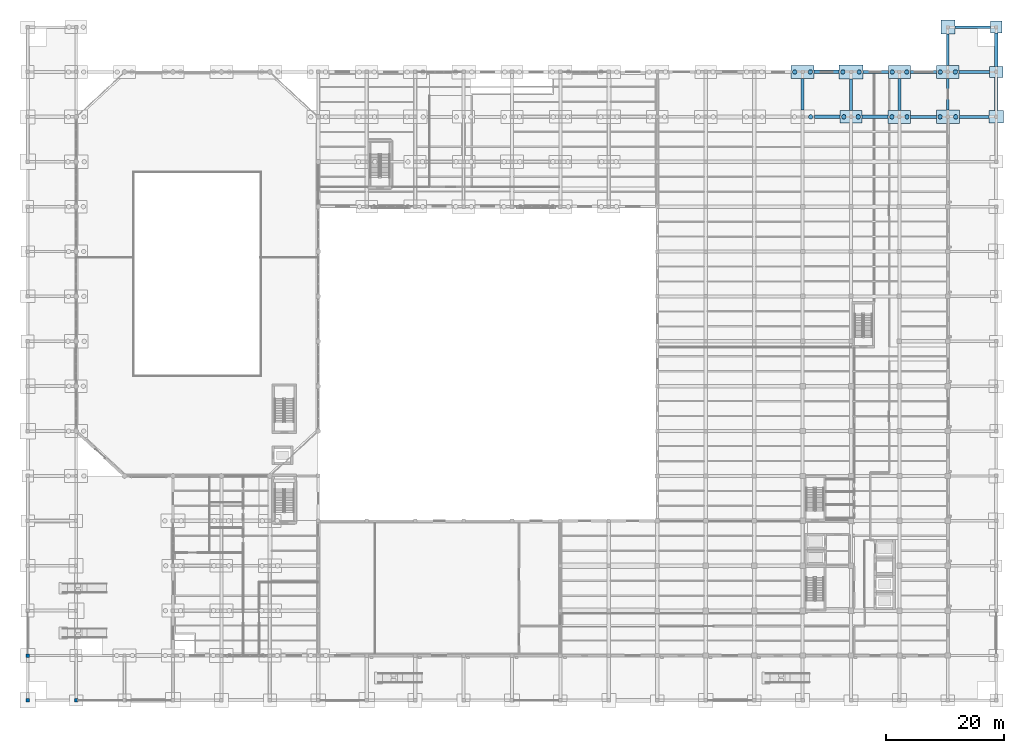
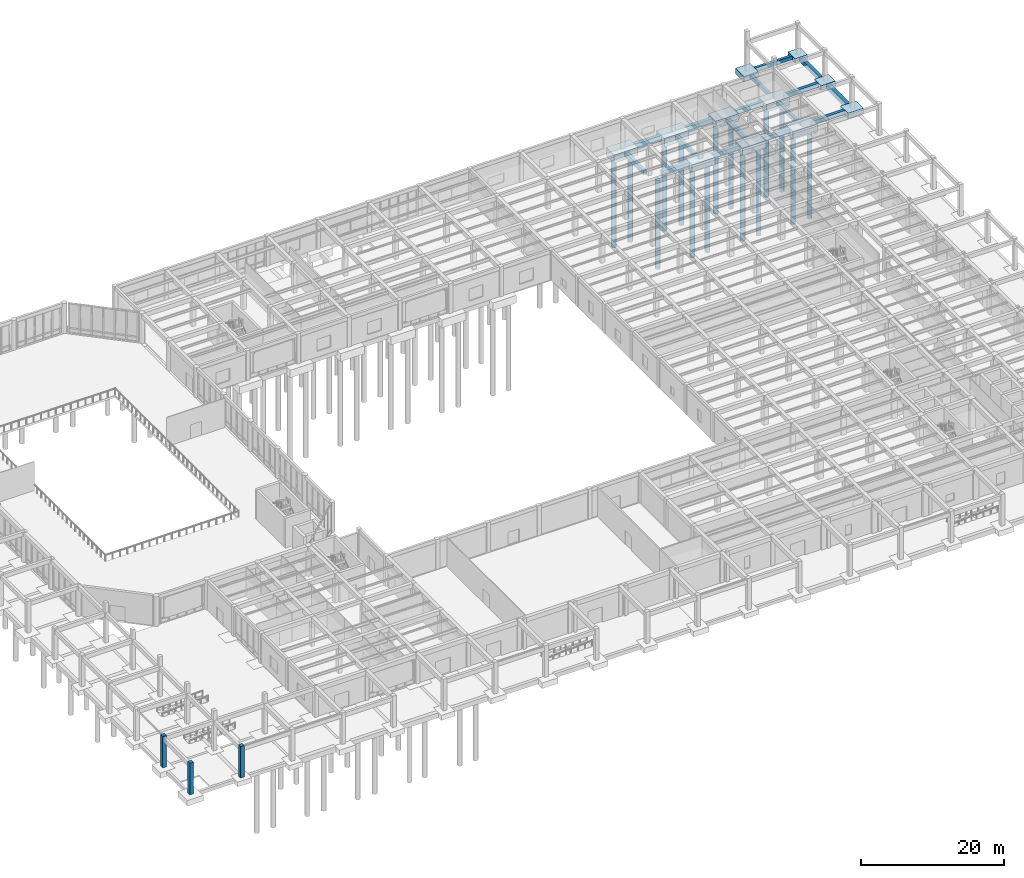
# One storey, part 6 of 64: 27 footings, 15 piles, 3 columns.
"""IFC4 building model written with IfcOpenShell, lengths in metres."""

from ifc_helpers import new_model, si_unit, direction, frame, origin, origin_2d, place, context, subcontext, project, spatial, rectangle, circle, extrude, material, material_profile, profile_set, type_object, element, save


model = new_model("IFC4")

# Units and contexts
model_context = context("Model", 3, precision=1e-05, world=origin(), true_north=direction((0.0, 1.0)))
body_context = subcontext(model_context, "Body", "Model", "MODEL_VIEW")
ifc_project = project(units=[si_unit("LENGTHUNIT", "METRE"), si_unit("AREAUNIT", "SQUARE_METRE"), si_unit("VOLUMEUNIT", "CUBIC_METRE"), si_unit("PLANEANGLEUNIT", "RADIAN"), si_unit("MASSUNIT", "GRAM", prefix="KILO")], contexts=[model_context])

# Site, building, storey
site_placement = place(None, origin())
site = spatial("IfcSite", under=ifc_project, at=site_placement, CompositionType="ELEMENT")
building_placement = place(site_placement, origin())
building = spatial("IfcBuilding", under=site, at=building_placement, Name="Qandaris Square Conservatory and Botanical Centre", CompositionType="ELEMENT")
storey_placement = place(building_placement, origin())
storey = spatial("IfcBuildingStorey", under=building, at=storey_placement, Name="L00", CompositionType="ELEMENT", Elevation=0.0)

# Piles
ifc_material_1 = material(Name="Concrete C50/60", Category="concrete")
ifc_material_profile_1 = material_profile(ifc_material_1, circle(Radius=0.375, at=origin_2d()), Name="PILE D750")
ifc_profile_set_1 = profile_set([ifc_material_profile_1], Name="Concrete C50/60")
pile_type = type_object("IfcPileType", Name="Bored Pile D750", PredefinedType="BORED", material=ifc_profile_set_1)
pile_placement = place(storey_placement, frame((140.574951171875, 107.800048828125, -1.300048828125), z_axis=(0.0, 0.0, -1.0), x_axis=(1.0, 0.0, 0.0)))
element("IfcPile", 1, at=pile_placement, inside=storey, type_object=pile_type, Name="Bored Pile P17-2", PredefinedType="BORED", context=body_context, shape_type="SweptSolid", body=[
    extrude(circle(Radius=0.375, at=origin_2d()), origin(), (0.0, 0.0, 1.0), 15.199951171875),
])
for number, where, z_axis, x_axis, name in (
    (2, (137.875, 115.39990234375, -1.25), (0.0, 0.0, -1.0), (1.0, 0.0, 0.0), "Bored Pile Q17-1"),
    (3, (140.52490234375, 115.39990234375, -1.25), (0.0, 0.0, -1.0), (1.0, 0.0, 0.0), "Bored Pile Q17-2"),
):
    element("IfcPile", number, at=place(storey_placement, frame(where, z_axis=z_axis, x_axis=x_axis)), inside=storey, type_object=pile_type, Name=name, PredefinedType="BORED", context=body_context, shape_type="SweptSolid", body=[
        extrude(circle(Radius=0.375, at=origin_2d()), origin(), (0.0, 0.0, 1.0), 15.25),
    ])
for number, where, z_axis, x_axis, name in (
    (4, (146.175048828125, 107.800048828125, -1.14990234375), (0.0, 0.0, -1.0), (1.0, 0.0, 0.0), "Bored Pile P18-1"),
    (5, (148.625, 107.800048828125, -1.14990234375), (0.0, 0.0, -1.0), (1.0, 0.0, 0.0), "Bored Pile P18-2"),
):
    element("IfcPile", number, at=place(storey_placement, frame(where, z_axis=z_axis, x_axis=x_axis)), inside=storey, type_object=pile_type, Name=name, PredefinedType="BORED", context=body_context, shape_type="SweptSolid", body=[
        extrude(circle(Radius=0.375, at=origin_2d()), origin(), (0.0, 0.0, 1.0), 15.35009765625),
    ])
for number, where, z_axis, x_axis, name in (
    (6, (146.02490234375, 115.39990234375, -1.300048828125), (0.0, 0.0, -1.0), (1.0, 0.0, 0.0), "Bored Pile Q18-1"),
    (7, (148.77490234375, 115.39990234375, -1.300048828125), (0.0, 0.0, -1.0), (1.0, 0.0, 0.0), "Bored Pile Q18-2"),
):
    element("IfcPile", number, at=place(storey_placement, frame(where, z_axis=z_axis, x_axis=x_axis)), inside=storey, type_object=pile_type, Name=name, PredefinedType="BORED", context=body_context, shape_type="SweptSolid", body=[
        extrude(circle(Radius=0.375, at=origin_2d()), origin(), (0.0, 0.0, 1.0), 15.199951171875),
    ])
for number, where, z_axis, x_axis, name in (
    (8, (154.324951171875, 107.800048828125, -1.199951171875), (0.0, 0.0, -1.0), (1.0, 0.0, 0.0), "Bored Pile P19-1"),
    (9, (156.875, 107.800048828125, -1.199951171875), (0.0, 0.0, -1.0), (1.0, 0.0, 0.0), "Bored Pile P19-2"),
):
    element("IfcPile", number, at=place(storey_placement, frame(where, z_axis=z_axis, x_axis=x_axis)), inside=storey, type_object=pile_type, Name=name, PredefinedType="BORED", context=body_context, shape_type="SweptSolid", body=[
        extrude(circle(Radius=0.375, at=origin_2d()), origin(), (0.0, 0.0, 1.0), 15.300048828125),
    ])
for number, where, z_axis, x_axis, name in (
    (10, (154.375, 115.39990234375, -1.14990234375), (0.0, 0.0, -1.0), (1.0, 0.0, 0.0), "Bored Pile Q19-1"),
    (11, (156.824951171875, 115.39990234375, -1.14990234375), (0.0, 0.0, -1.0), (1.0, 0.0, 0.0), "Bored Pile Q19-2"),
):
    element("IfcPile", number, at=place(storey_placement, frame(where, z_axis=z_axis, x_axis=x_axis)), inside=storey, type_object=pile_type, Name=name, PredefinedType="BORED", context=body_context, shape_type="SweptSolid", body=[
        extrude(circle(Radius=0.375, at=origin_2d()), origin(), (0.0, 0.0, 1.0), 15.35009765625),
    ])
for number, where, z_axis, x_axis, name in (
    (12, (162.47509765625, 107.800048828125, -1.25), (0.0, 0.0, -1.0), (1.0, 0.0, 0.0), "Bored Pile P20-1"),
    (13, (165.125, 107.800048828125, -1.25), (0.0, 0.0, -1.0), (1.0, 0.0, 0.0), "Bored Pile P20-2"),
):
    element("IfcPile", number, at=place(storey_placement, frame(where, z_axis=z_axis, x_axis=x_axis)), inside=storey, type_object=pile_type, Name=name, PredefinedType="BORED", context=body_context, shape_type="SweptSolid", body=[
        extrude(circle(Radius=0.375, at=origin_2d()), origin(), (0.0, 0.0, 1.0), 15.25),
    ])
for number, where, z_axis, x_axis, name in (
    (14, (162.52490234375, 115.39990234375, -1.199951171875), (0.0, 0.0, -1.0), (1.0, 0.0, 0.0), "Bored Pile Q20-1"),
    (15, (165.074951171875, 115.39990234375, -1.199951171875), (0.0, 0.0, -1.0), (1.0, 0.0, 0.0), "Bored Pile Q20-2"),
):
    element("IfcPile", number, at=place(storey_placement, frame(where, z_axis=z_axis, x_axis=x_axis)), inside=storey, type_object=pile_type, Name=name, PredefinedType="BORED", context=body_context, shape_type="SweptSolid", body=[
        extrude(circle(Radius=0.375, at=origin_2d()), origin(), (0.0, 0.0, 1.0), 15.300048828125),
    ])

# Footings
ifc_material_2 = material(Name="Concrete C40/50", Category="concrete")
ifc_material_profile_2 = material_profile(ifc_material_2, rectangle(XDim=0.60009765625, YDim=0.85009765625, at=origin_2d()), Name="FB 600x850")
ifc_profile_set_2 = profile_set([ifc_material_profile_2], Name="Concrete C40/50")
footing_type_1 = type_object("IfcFootingType", Name="RC Ground Tie Beam FB-01", PredefinedType="FOOTING_BEAM", material=ifc_profile_set_2)
footing_1_placement = place(storey_placement, frame((141.199951171875, 107.800048828125, -0.425048828125), z_axis=(1.0, 0.0, 0.0), x_axis=(0.0, 1.0, 0.0)))
element("IfcFooting", 16, at=footing_1_placement, inside=storey, type_object=footing_type_1, Name="Ground Tie Beam FB-01-251", PredefinedType="FOOTING_BEAM", context=body_context, shape_type="SweptSolid", body=[
    extrude(rectangle(XDim=0.60009765625, YDim=0.85009765625, at=origin_2d()), origin(), (0.0, 0.0, 1.0), 4.35009765625),
])
footing_2_placement = place(storey_placement, frame((141.14990234375, 115.39990234375, -0.425048828125), z_axis=(1.0, 0.0, 0.0), x_axis=(0.0, 1.0, 0.0)))
element("IfcFooting", 17, at=footing_2_placement, inside=storey, type_object=footing_type_1, Name="Ground Tie Beam FB-01-271", PredefinedType="FOOTING_BEAM", context=body_context, shape_type="SweptSolid", body=[
    extrude(rectangle(XDim=0.60009765625, YDim=0.85009765625, at=origin_2d()), origin(), (0.0, 0.0, 1.0), 4.25),
])
footing_3_placement = place(storey_placement, frame((172.0, 108.85009765625, -0.425048828125), z_axis=(0.0, 1.0, 0.0), x_axis=(-1.0, 0.0, 0.0)))
element("IfcFooting", 18, at=footing_3_placement, inside=storey, type_object=footing_type_1, Name="Ground Tie Beam FB-01-361", PredefinedType="FOOTING_BEAM", context=body_context, shape_type="SweptSolid", body=[
    extrude(rectangle(XDim=0.60009765625, YDim=0.85009765625, at=origin_2d()), origin(), (0.0, 0.0, 1.0), 5.599853515625),
])
ifc_material_profile_3 = material_profile(ifc_material_2, rectangle(XDim=0.550048828125, YDim=0.800048828125, at=origin_2d()), Name="FB 550x800")
ifc_profile_set_3 = profile_set([ifc_material_profile_3], Name="Concrete C40/50")
footing_type_2 = type_object("IfcFootingType", Name="RC Ground Tie Beam FB-02", PredefinedType="FOOTING_BEAM", material=ifc_profile_set_3)
footing_4_placement = place(storey_placement, frame((149.25, 107.800048828125, -0.39990234375), z_axis=(1.0, 0.0, 0.0), x_axis=(0.0, 1.0, 0.0)))
element("IfcFooting", 19, at=footing_4_placement, inside=storey, type_object=footing_type_2, Name="Ground Tie Beam FB-02-252", PredefinedType="FOOTING_BEAM", context=body_context, shape_type="SweptSolid", body=[
    extrude(rectangle(XDim=0.550048828125, YDim=0.800048828125, at=origin_2d()), origin(), (0.0, 0.0, 1.0), 4.449951171875),
])
footing_5_placement = place(storey_placement, frame((149.39990234375, 115.39990234375, -0.39990234375), z_axis=(1.0, 0.0, 0.0), x_axis=(0.0, 1.0, 0.0)))
element("IfcFooting", 20, at=footing_5_placement, inside=storey, type_object=footing_type_2, Name="Ground Tie Beam FB-02-272", PredefinedType="FOOTING_BEAM", context=body_context, shape_type="SweptSolid", body=[
    extrude(rectangle(XDim=0.550048828125, YDim=0.800048828125, at=origin_2d()), origin(), (0.0, 0.0, 1.0), 4.35009765625),
])
footing_6_placement = place(storey_placement, frame((172.0, 116.35009765625, -0.39990234375), z_axis=(0.0, 1.0, 0.0), x_axis=(-1.0, 0.0, 0.0)))
element("IfcFooting", 21, at=footing_6_placement, inside=storey, type_object=footing_type_2, Name="Ground Tie Beam FB-02-362", PredefinedType="FOOTING_BEAM", context=body_context, shape_type="SweptSolid", body=[
    extrude(rectangle(XDim=0.550048828125, YDim=0.800048828125, at=origin_2d()), origin(), (0.0, 0.0, 1.0), 5.64990234375),
])
ifc_material_profile_4 = material_profile(ifc_material_2, rectangle(XDim=0.5, YDim=0.75, at=origin_2d()), Name="FB 500x750")
ifc_profile_set_4 = profile_set([ifc_material_profile_4], Name="Concrete C40/50")
footing_type_3 = type_object("IfcFootingType", Name="RC Ground Tie Beam FB-03", PredefinedType="FOOTING_BEAM", material=ifc_profile_set_4)
footing_7_placement = place(storey_placement, frame((157.5, 107.800048828125, -0.375), z_axis=(1.0, 0.0, 0.0), x_axis=(0.0, 1.0, 0.0)))
element("IfcFooting", 22, at=footing_7_placement, inside=storey, type_object=footing_type_3, Name="Ground Tie Beam FB-03-253", PredefinedType="FOOTING_BEAM", context=body_context, shape_type="SweptSolid", body=[
    extrude(rectangle(XDim=0.5, YDim=0.75, at=origin_2d()), origin(), (0.0, 0.0, 1.0), 4.35009765625),
])
footing_8_placement = place(storey_placement, frame((157.449951171875, 115.39990234375, -0.375), z_axis=(1.0, 0.0, 0.0), x_axis=(0.0, 1.0, 0.0)))
element("IfcFooting", 23, at=footing_8_placement, inside=storey, type_object=footing_type_3, Name="Ground Tie Beam FB-03-273", PredefinedType="FOOTING_BEAM", context=body_context, shape_type="SweptSolid", body=[
    extrude(rectangle(XDim=0.5, YDim=0.75, at=origin_2d()), origin(), (0.0, 0.0, 1.0), 4.449951171875),
])
footing_9_placement = place(storey_placement, frame((139.199951171875, 108.949951171875, -0.375), z_axis=(0.0, 1.0, 0.0), x_axis=(-1.0, 0.0, 0.0)))
element("IfcFooting", 24, at=footing_9_placement, inside=storey, type_object=footing_type_3, Name="Ground Tie Beam FB-03-343", PredefinedType="FOOTING_BEAM", context=body_context, shape_type="SweptSolid", body=[
    extrude(rectangle(XDim=0.5, YDim=0.75, at=origin_2d()), origin(), (0.0, 0.0, 1.0), 5.324951171875),
])
ifc_material_profile_5 = material_profile(ifc_material_2, rectangle(XDim=0.5, YDim=0.699951171875, at=origin_2d()), Name="FB 500x700")
ifc_profile_set_5 = profile_set([ifc_material_profile_5], Name="Concrete C40/50")
footing_type_4 = type_object("IfcFootingType", Name="RC Ground Tie Beam FB-04", PredefinedType="FOOTING_BEAM", material=ifc_profile_set_5)
footing_10_placement = place(storey_placement, frame((165.75, 107.800048828125, -0.35009765625), z_axis=(1.0, 0.0, 0.0), x_axis=(0.0, 1.0, 0.0)))
element("IfcFooting", 25, at=footing_10_placement, inside=storey, type_object=footing_type_4, Name="Ground Tie Beam FB-04-254", PredefinedType="FOOTING_BEAM", context=body_context, shape_type="SweptSolid", body=[
    extrude(rectangle(XDim=0.5, YDim=0.699951171875, at=origin_2d()), origin(), (0.0, 0.0, 1.0), 5.0),
])
footing_11_placement = place(storey_placement, frame((165.699951171875, 115.39990234375, -0.35009765625), z_axis=(1.0, 0.0, 0.0), x_axis=(0.0, 1.0, 0.0)))
element("IfcFooting", 26, at=footing_11_placement, inside=storey, type_object=footing_type_4, Name="Ground Tie Beam FB-04-274", PredefinedType="FOOTING_BEAM", context=body_context, shape_type="SweptSolid", body=[
    extrude(rectangle(XDim=0.5, YDim=0.699951171875, at=origin_2d()), origin(), (0.0, 0.0, 1.0), 5.150146484375),
])
footing_12_placement = place(storey_placement, frame((147.39990234375, 108.875, -0.35009765625), z_axis=(0.0, 1.0, 0.0), x_axis=(-1.0, 0.0, 0.0)))
element("IfcFooting", 27, at=footing_12_placement, inside=storey, type_object=footing_type_4, Name="Ground Tie Beam FB-04-344", PredefinedType="FOOTING_BEAM", context=body_context, shape_type="SweptSolid", body=[
    extrude(rectangle(XDim=0.5, YDim=0.699951171875, at=origin_2d()), origin(), (0.0, 0.0, 1.0), 5.375),
])
ifc_material_profile_6 = material_profile(ifc_material_2, rectangle(XDim=0.449951171875, YDim=0.64990234375, at=origin_2d()), Name="FB 450x650")
ifc_profile_set_6 = profile_set([ifc_material_profile_6], Name="Concrete C40/50")
footing_type_5 = type_object("IfcFootingType", Name="RC Ground Tie Beam FB-05", PredefinedType="FOOTING_BEAM", material=ifc_profile_set_6)
footing_13_placement = place(storey_placement, frame((155.60009765625, 108.89990234375, -0.324951171875), z_axis=(0.0, 1.0, 0.0), x_axis=(-1.0, 0.0, 0.0)))
element("IfcFooting", 28, at=footing_13_placement, inside=storey, type_object=footing_type_5, Name="Ground Tie Beam FB-05-345", PredefinedType="FOOTING_BEAM", context=body_context, shape_type="SweptSolid", body=[
    extrude(rectangle(XDim=0.449951171875, YDim=0.64990234375, at=origin_2d()), origin(), (0.0, 0.0, 1.0), 5.425048828125),
])
ifc_material_profile_7 = material_profile(ifc_material_2, rectangle(XDim=0.449951171875, YDim=0.60009765625, at=origin_2d()), Name="FB 450x600")
ifc_profile_set_7 = profile_set([ifc_material_profile_7], Name="Concrete C40/50")
footing_type_6 = type_object("IfcFootingType", Name="RC Ground Tie Beam FB-06", PredefinedType="FOOTING_BEAM", material=ifc_profile_set_7)
footing_14_placement = place(storey_placement, frame((165.0, 123.0, -0.300048828125), z_axis=(1.0, 0.0, 0.0), x_axis=(0.0, 1.0, 0.0)))
element("IfcFooting", 29, at=footing_14_placement, inside=storey, type_object=footing_type_6, Name="Ground Tie Beam FB-06-276", PredefinedType="FOOTING_BEAM", context=body_context, shape_type="SweptSolid", body=[
    extrude(rectangle(XDim=0.449951171875, YDim=0.60009765625, at=origin_2d()), origin(), (0.0, 0.0, 1.0), 6.0),
])
footing_15_placement = place(storey_placement, frame((163.800048828125, 108.925048828125, -0.300048828125), z_axis=(0.0, 1.0, 0.0), x_axis=(-1.0, 0.0, 0.0)))
element("IfcFooting", 30, at=footing_15_placement, inside=storey, type_object=footing_type_6, Name="Ground Tie Beam FB-06-346", PredefinedType="FOOTING_BEAM", context=body_context, shape_type="SweptSolid", body=[
    extrude(rectangle(XDim=0.449951171875, YDim=0.60009765625, at=origin_2d()), origin(), (0.0, 0.0, 1.0), 5.375),
])
ifc_material_profile_8 = material_profile(ifc_material_2, rectangle(XDim=0.39990234375, YDim=0.60009765625, at=origin_2d()), Name="FB 400x600")
ifc_profile_set_8 = profile_set([ifc_material_profile_8], Name="Concrete C40/50")
footing_type_7 = type_object("IfcFootingType", Name="RC Ground Tie Beam FB-07", PredefinedType="FOOTING_BEAM", material=ifc_profile_set_8)
footing_16_placement = place(storey_placement, frame((163.800048828125, 116.5, -0.300048828125), z_axis=(0.0, 1.0, 0.0), x_axis=(-1.0, 0.0, 0.0)))
element("IfcFooting", 31, at=footing_16_placement, inside=storey, type_object=footing_type_7, Name="Ground Tie Beam FB-07-347", PredefinedType="FOOTING_BEAM", context=body_context, shape_type="SweptSolid", body=[
    extrude(rectangle(XDim=0.39990234375, YDim=0.60009765625, at=origin_2d()), origin(), (0.0, 0.0, 1.0), 5.300048828125),
])
footing_type_8 = type_object("IfcFootingType", Name="RC Pad Footing PF-02", PredefinedType="PAD_FOOTING", material=ifc_material_2)
footing_17_placement = place(storey_placement, frame((163.800048828125, 123.0, -0.89990234375), z_axis=(0.0, 0.0, 1.0), x_axis=(1.0, 0.0, 0.0)))
element("IfcFooting", 32, at=footing_17_placement, inside=storey, type_object=footing_type_8, Name="Pad Footing PF-02 at R20", PredefinedType="PAD_FOOTING", context=body_context, shape_type="SweptSolid", body=[
    extrude(rectangle(XDim=2.39990234375, YDim=2.39990234375, at=origin_2d()), origin(), (0.0, 0.0, 1.0), 0.89990234375),
])
footing_type_9 = type_object("IfcFootingType", Name="RC Pad Footing PF-04", PredefinedType="PAD_FOOTING", material=ifc_material_2)
footing_18_placement = place(storey_placement, frame((172.0, 107.800048828125, -0.89990234375), z_axis=(0.0, 0.0, 1.0), x_axis=(1.0, 0.0, 0.0)))
element("IfcFooting", 33, at=footing_18_placement, inside=storey, type_object=footing_type_9, Name="Pad Footing PF-04 at P21", PredefinedType="PAD_FOOTING", context=body_context, shape_type="SweptSolid", body=[
    extrude(rectangle(XDim=2.5, YDim=2.10009765625, at=origin_2d()), origin(), (0.0, 0.0, 1.0), 0.89990234375),
])
footing_type_10 = type_object("IfcFootingType", Name="RC Pad Footing PF-05", PredefinedType="PAD_FOOTING", material=ifc_material_2)
footing_19_placement = place(storey_placement, frame((172.0, 115.39990234375, -0.7998046875), z_axis=(0.0, 0.0, 1.0), x_axis=(1.0, 0.0, 0.0)))
element("IfcFooting", 34, at=footing_19_placement, inside=storey, type_object=footing_type_10, Name="Pad Footing PF-05 at Q21", PredefinedType="PAD_FOOTING", context=body_context, shape_type="SweptSolid", body=[
    extrude(rectangle(XDim=2.300048828125, YDim=1.89990234375, at=origin_2d()), origin(), (0.0, 0.0, 1.0), 0.800048828125),
])
footing_type_11 = type_object("IfcFootingType", Name="RC Pad Footing PF-06", PredefinedType="PAD_FOOTING", material=ifc_material_2)
footing_20_placement = place(storey_placement, frame((172.0, 123.0, -0.75), z_axis=(0.0, 0.0, 1.0), x_axis=(1.0, 0.0, 0.0)))
element("IfcFooting", 35, at=footing_20_placement, inside=storey, type_object=footing_type_11, Name="Pad Footing PF-06 at R21", PredefinedType="PAD_FOOTING", context=body_context, shape_type="SweptSolid", body=[
    extrude(rectangle(XDim=2.0, YDim=2.0, at=origin_2d()), origin(), (0.0, 0.0, 1.0), 0.75),
])
footing_type_12 = type_object("IfcFootingType", Name="RC Pile Cap PC-09", PredefinedType="PILE_CAP", material=ifc_material_2)
footing_21_placement = place(storey_placement, frame((147.39990234375, 115.39990234375, -1.39990234375), z_axis=(0.0, 0.0, 1.0), x_axis=(1.0, 0.0, 0.0)))
element("IfcFooting", 36, at=footing_21_placement, inside=storey, type_object=footing_type_12, Name="Pile Cap PC-09 at Q18", PredefinedType="PILE_CAP", context=body_context, shape_type="SweptSolid", body=[
    extrude(rectangle(XDim=4.0, YDim=2.300048828125, at=origin_2d()), origin(), (0.0, 0.0, 1.0), 1.39990234375),
])
footing_type_13 = type_object("IfcFootingType", Name="RC Pile Cap PC-10", PredefinedType="PILE_CAP", material=ifc_material_2)
for number, where, z_axis, x_axis, name in (
    (37, (139.199951171875, 115.39990234375, -1.35009765625), (0.0, 0.0, 1.0), (1.0, 0.0, 0.0), "Pile Cap PC-10 at Q17"),
    (38, (163.800048828125, 107.800048828125, -1.35009765625), (0.0, 0.0, 1.0), (1.0, 0.0, 0.0), "Pile Cap PC-10 at P20"),
):
    element("IfcFooting", number, at=place(storey_placement, frame(where, z_axis=z_axis, x_axis=x_axis)), inside=storey, type_object=footing_type_13, Name=name, PredefinedType="PILE_CAP", context=body_context, shape_type="SweptSolid", body=[
        extrude(rectangle(XDim=3.89990234375, YDim=2.25, at=origin_2d()), origin(), (0.0, 0.0, 1.0), 1.35009765625),
    ])
footing_type_14 = type_object("IfcFootingType", Name="RC Pile Cap PC-11", PredefinedType="PILE_CAP", material=ifc_material_2)
for number, where, z_axis, x_axis, name in (
    (39, (155.60009765625, 107.800048828125, -1.2998046875), (0.0, 0.0, 1.0), (1.0, 0.0, 0.0), "Pile Cap PC-11 at P19"),
    (40, (163.800048828125, 115.39990234375, -1.2998046875), (0.0, 0.0, 1.0), (1.0, 0.0, 0.0), "Pile Cap PC-11 at Q20"),
):
    element("IfcFooting", number, at=place(storey_placement, frame(where, z_axis=z_axis, x_axis=x_axis)), inside=storey, type_object=footing_type_14, Name=name, PredefinedType="PILE_CAP", context=body_context, shape_type="SweptSolid", body=[
        extrude(rectangle(XDim=3.800048828125, YDim=2.199951171875, at=origin_2d()), origin(), (0.0, 0.0, 1.0), 1.300048828125),
    ])
footing_type_15 = type_object("IfcFootingType", Name="RC Pile Cap PC-12", PredefinedType="PILE_CAP", material=ifc_material_2)
for number, where, z_axis, x_axis, name in (
    (41, (147.39990234375, 107.800048828125, -1.25), (0.0, 0.0, 1.0), (1.0, 0.0, 0.0), "Pile Cap PC-12 at P18"),
    (42, (155.60009765625, 115.39990234375, -1.25), (0.0, 0.0, 1.0), (1.0, 0.0, 0.0), "Pile Cap PC-12 at Q19"),
):
    element("IfcFooting", number, at=place(storey_placement, frame(where, z_axis=z_axis, x_axis=x_axis)), inside=storey, type_object=footing_type_15, Name=name, PredefinedType="PILE_CAP", context=body_context, shape_type="SweptSolid", body=[
        extrude(rectangle(XDim=3.699951171875, YDim=2.14990234375, at=origin_2d()), origin(), (0.0, 0.0, 1.0), 1.25),
    ])

# Columns
ifc_material_profile_9 = material_profile(ifc_material_2, rectangle(XDim=0.60009765625, YDim=0.60009765625, at=origin_2d()), Name="RC-COL 600x600")
ifc_profile_set_9 = profile_set([ifc_material_profile_9], Name="Concrete C40/50")
column_type = type_object("IfcColumnType", Name="RC Column 600x600", PredefinedType="COLUMN", material=ifc_profile_set_9)
for number, where, z_axis, x_axis, name in (
    (43, (8.0, 9.0, 0.0), (0.0, 0.0, 1.0), (1.0, 0.0, 0.0), "Column A1 (L00)"),
    (44, (8.0, 16.60009765625, 0.0), (0.0, 0.0, 1.0), (1.0, 0.0, 0.0), "Column B1 (L00)"),
    (45, (16.199951171875, 9.0, 0.0), (0.0, 0.0, 1.0), (1.0, 0.0, 0.0), "Column A2 (L00)"),
):
    element("IfcColumn", number, at=place(storey_placement, frame(where, z_axis=z_axis, x_axis=x_axis)), inside=storey, type_object=column_type, Name=name, PredefinedType="COLUMN", context=body_context, shape_type="SweptSolid", body=[
        extrude(rectangle(XDim=0.60009765625, YDim=0.60009765625, at=origin_2d()), origin(), (0.0, 0.0, 1.0), 5.39990234375),
    ])

save(model, "model.ifc")
